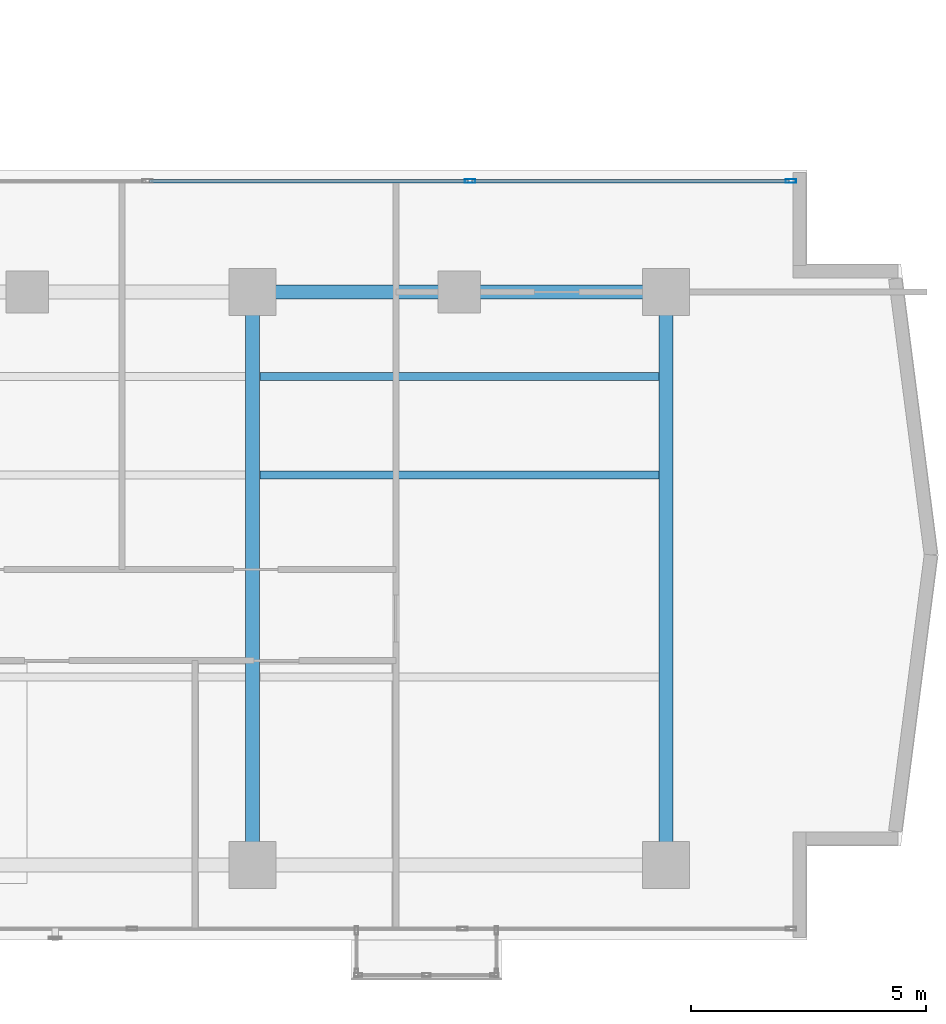
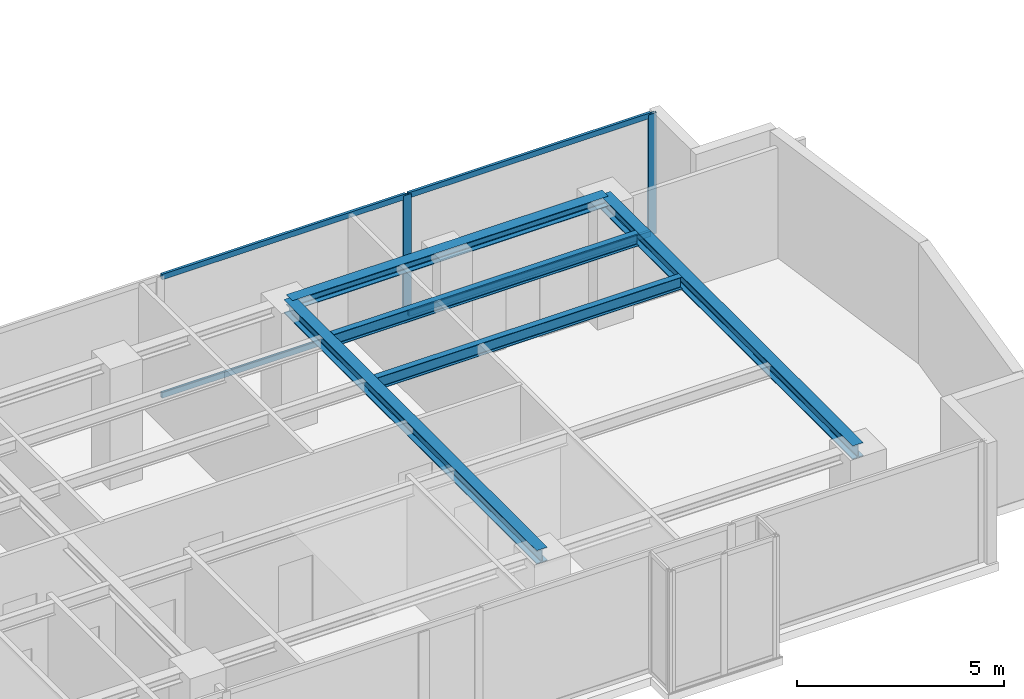
# One storey, part 11 of 23: 6 members, 5 beams, 1 element without a shape of its own.
"""IFC4 building model written with IfcOpenShell, lengths in metres."""

from ifc_helpers import new_model, si_unit, direction, frame, origin, origin_with_axes, origin_2d, place, context, subcontext, project, spatial, hollow_rectangle, i_section, extrude, source, transform, mapped, material, layer, layer_set, material_profile, profile_set, type_object, element, aggregate, save


model = new_model("IFC4")

# Units and contexts
model_context = context("Model", 3, precision=1e-05, world=origin(), true_north=direction((0.0, 1.0)))
body_context = subcontext(model_context, "Body", "Model", "MODEL_VIEW")
ifc_project = project(units=[si_unit("LENGTHUNIT", "METRE"), si_unit("AREAUNIT", "SQUARE_METRE"), si_unit("VOLUMEUNIT", "CUBIC_METRE"), si_unit("PLANEANGLEUNIT", "RADIAN"), si_unit("MASSUNIT", "GRAM", prefix="KILO")], contexts=[model_context])

# Site, building, storey
site_placement = place(None, origin())
site = spatial("IfcSite", under=ifc_project, at=site_placement, CompositionType="ELEMENT")
building_placement = place(site_placement, origin())
building = spatial("IfcBuilding", under=site, at=building_placement, Name="Kolvaren Waterfront Exchange", CompositionType="ELEMENT")
storey_placement = place(building_placement, frame((0.0, 0.0, 227.300048828125)))
storey = spatial("IfcBuildingStorey", under=building, at=storey_placement, Name="L58", CompositionType="ELEMENT", Elevation=227.300048828125)

# Beams
ifc_material_1 = material(Name="Steel S355", Category="steel")
ifc_material_profile_1 = material_profile(ifc_material_1, i_section(OverallWidth=0.300048828125, OverallDepth=0.300048828125, WebThickness=0.010986328125, FlangeThickness=0.01904296875, FilletRadius=0.027099609375, at=origin_2d()), Name="HEB300")
ifc_profile_set_1 = profile_set([ifc_material_profile_1], Name="Steel S355")
beam_type_1 = type_object("IfcBeamType", Name="STR-BM-HEB300", PredefinedType="SPANDREL", material=ifc_profile_set_1)
beam_placement = place(storey_placement, frame((36.800048828125, 17.39990234375, 3.409912109375), z_axis=(1.0, 0.0, 0.0), x_axis=(0.0, 1.0, 0.0)))
element("IfcBeam", 1, at=beam_placement, inside=storey, type_object=beam_type_1, Name="L58 east-arm spandrel N3", PredefinedType="SPANDREL", context=body_context, shape_type="SweptSolid", body=[
    extrude(i_section(OverallWidth=0.300048828125, OverallDepth=0.300048828125, WebThickness=0.010986328125, FlangeThickness=0.01904296875, FilletRadius=0.027099609375, at=origin_2d()), origin(), (0.0, 0.0, 1.0), 8.800048828125),
])
ifc_material_profile_2 = material_profile(ifc_material_1, i_section(OverallWidth=0.300048828125, OverallDepth=0.39990234375, WebThickness=0.013427734375, FlangeThickness=0.02392578125, FilletRadius=0.027099609375, at=origin_2d()), Name="HEB400")
ifc_profile_set_2 = profile_set([ifc_material_profile_2], Name="Steel S355")
beam_type_2 = type_object("IfcBeamType", Name="STR-BM-HEB400", PredefinedType="BEAM", material=ifc_profile_set_2)
for number, where, z_axis, x_axis, name in (
    (2, (36.800048828125, 5.199951171875, 3.35986328125), (0.0, 1.0, 0.0), (-1.0, 0.0, 0.0), "L58 east-arm transverse girder X36"),
    (3, (45.60009765625, 5.199951171875, 3.35986328125), (0.0, 1.0, 0.0), (-1.0, 0.0, 0.0), "L58 east-arm transverse girder X45"),
):
    element("IfcBeam", number, at=place(storey_placement, frame(where, z_axis=z_axis, x_axis=x_axis)), inside=storey, type_object=beam_type_2, Name=name, PredefinedType="BEAM", context=body_context, shape_type="SweptSolid", body=[
        extrude(i_section(OverallWidth=0.300048828125, OverallDepth=0.39990234375, WebThickness=0.013427734375, FlangeThickness=0.02392578125, FilletRadius=0.027099609375, at=origin_2d()), origin(), (0.0, 0.0, 1.0), 12.199951171875),
    ])
ifc_material_profile_3 = material_profile(ifc_material_1, i_section(OverallWidth=0.169921875, OverallDepth=0.360107421875, WebThickness=0.008056640625, FlangeThickness=0.0126953125, FilletRadius=0.01806640625, at=origin_2d()), Name="IPE360")
ifc_profile_set_3 = profile_set([ifc_material_profile_3], Name="Steel S355")
beam_type_3 = type_object("IfcBeamType", Name="STR-BM-IPE360", PredefinedType="JOIST", material=ifc_profile_set_3)
for number, where, z_axis, x_axis, name in (
    (4, (36.951904296875, 13.5, 3.3798828125), (1.0, 0.0, 0.0), (0.0, 1.0, 0.0), "L58 east-arm composite joist 3A"),
    (5, (36.951904296875, 15.60009765625, 3.3798828125), (1.0, 0.0, 0.0), (0.0, 1.0, 0.0), "L58 east-arm composite joist 3C"),
):
    element("IfcBeam", number, at=place(storey_placement, frame(where, z_axis=z_axis, x_axis=x_axis)), inside=storey, type_object=beam_type_3, Name=name, PredefinedType="JOIST", context=body_context, shape_type="SweptSolid", body=[
        extrude(i_section(OverallWidth=0.169921875, OverallDepth=0.360107421875, WebThickness=0.008056640625, FlangeThickness=0.0126953125, FilletRadius=0.01806640625, at=origin_2d()), origin(), (0.0, 0.0, 1.0), 8.49609375),
    ])

# Curtain wall, members
ifc_material_2 = material(Name="Anodised bronze aluminium 6063-T6", Category="aluminium")
ifc_layer = layer(ifc_material_2, 0.219970703125, Name="Anodised bronze aluminium 6063-T6")
ifc_layer_set = layer_set([ifc_layer], Name="Anodised bronze aluminium 6063-T6")
curtain_wall_type = type_object("IfcCurtainWallType", Name="ARC-CW-SYS1", PredefinedType="USERDEFINED", material=ifc_layer_set)
curtain_wall_placement = place(storey_placement, origin())
curtain_wall = element("IfcCurtainWall", 6, at=curtain_wall_placement, inside=storey, type_object=curtain_wall_type, Name="L58 stick curtain wall CW1 (CW-L58-EN)", ObjectType="STICK CURTAIN WALL", PredefinedType="USERDEFINED")
ifc_material_3 = material(Name="Anodised aluminium 6063-T6", Category="aluminium")
ifc_material_profile_4 = material_profile(ifc_material_3, hollow_rectangle(XDim=0.080078125, YDim=0.219970703125, WallThickness=0.0048828125, at=origin_2d()), Name="ALU-MUL-220x80x5")
ifc_profile_set_4 = profile_set([ifc_material_profile_4], Name="Anodised aluminium 6063-T6")
member_type_1 = type_object("IfcMemberType", Name="ARC-CWM-220", PredefinedType="MULLION", material=ifc_profile_set_4)
shared_shape_1 = source(origin_with_axes(), body_context, "Body", "SweptSolid", [
    extrude(hollow_rectangle(XDim=0.080078125, YDim=0.219970703125, WallThickness=0.0048828125, at=origin_2d()), origin(), (0.0, 0.0, 1.0), 3.56005859375),
])
member_1_placement = place(storey_placement, frame((41.429931640625, 19.760009765625, 0.0), z_axis=(0.0, 0.0, 1.0), x_axis=(0.0, 1.0, 0.0)))
member_1 = element("IfcMember", 7, at=member_1_placement, type_object=member_type_1, Name="CW1 mullion 3", PredefinedType="MULLION", context=body_context, shape_type="MappedRepresentation", body=[
    mapped(shared_shape_1, transform((0.0, 0.0, 0.0), x_axis=(1.0, 0.0, 0.0), y_axis=(0.0, 1.0, 0.0), z_axis=(0.0, 0.0, 1.0), scale=1.0)),
])
member_2_placement = place(storey_placement, frame((48.260009765625, 19.760009765625, 0.0), z_axis=(0.0, 0.0, 1.0), x_axis=(0.0, 1.0, 0.0)))
member_2 = element("IfcMember", 8, at=member_2_placement, type_object=member_type_1, Name="CW1 mullion 4", PredefinedType="MULLION", context=body_context, shape_type="MappedRepresentation", body=[
    mapped(shared_shape_1, transform((0.0, 0.0, 0.0), x_axis=(1.0, 0.0, 0.0), y_axis=(0.0, 1.0, 0.0), z_axis=(0.0, 0.0, 1.0), scale=1.0)),
])
ifc_material_profile_5 = material_profile(ifc_material_3, hollow_rectangle(XDim=0.074951171875, YDim=0.159912109375, WallThickness=0.00439453125, at=origin_2d()), Name="ALU-TRN-160x75x4.5")
ifc_profile_set_5 = profile_set([ifc_material_profile_5], Name="Anodised aluminium 6063-T6")
member_type_2 = type_object("IfcMemberType", Name="ARC-CWT-160", PredefinedType="USERDEFINED", material=ifc_profile_set_5)
shared_shape_2 = source(origin_with_axes(), body_context, "Body", "SweptSolid", [
    extrude(hollow_rectangle(XDim=0.074951171875, YDim=0.159912109375, WallThickness=0.00439453125, at=origin_2d()), origin(), (0.0, 0.0, 1.0), 6.75),
])
member_3_placement = place(storey_placement, frame((41.469970703125, 19.760009765625, 0.037353515625), z_axis=(1.0, 0.0, 0.0), x_axis=(0.0, 1.0, 0.0)))
member_3 = element("IfcMember", 9, at=member_3_placement, type_object=member_type_2, Name="CW1 transom 3.1", ObjectType="TRANSOM", PredefinedType="USERDEFINED", context=body_context, shape_type="MappedRepresentation", body=[
    mapped(shared_shape_2, transform((0.0, 0.0, 0.0), x_axis=(1.0, 0.0, 0.0), y_axis=(0.0, 1.0, 0.0), z_axis=(0.0, 0.0, 1.0), scale=1.0)),
])
member_4_placement = place(storey_placement, frame((41.469970703125, 19.760009765625, 3.5224609375), z_axis=(1.0, 0.0, 0.0), x_axis=(0.0, 1.0, 0.0)))
member_4 = element("IfcMember", 10, at=member_4_placement, type_object=member_type_2, Name="CW1 transom 3.2", ObjectType="TRANSOM", PredefinedType="USERDEFINED", context=body_context, shape_type="MappedRepresentation", body=[
    mapped(shared_shape_2, transform((0.0, 0.0, 0.0), x_axis=(1.0, 0.0, 0.0), y_axis=(0.0, 1.0, 0.0), z_axis=(0.0, 0.0, 1.0), scale=1.0)),
])
shared_shape_3 = source(origin_with_axes(), body_context, "Body", "SweptSolid", [
    extrude(hollow_rectangle(XDim=0.074951171875, YDim=0.159912109375, WallThickness=0.00439453125, at=origin_2d()), origin(), (0.0, 0.0, 1.0), 6.789794921875),
])
member_5_placement = place(storey_placement, frame((34.60009765625, 19.760009765625, 0.037353515625), z_axis=(1.0, 0.0, 0.0), x_axis=(0.0, 1.0, 0.0)))
member_5 = element("IfcMember", 11, at=member_5_placement, type_object=member_type_2, Name="CW1 transom 2.1", ObjectType="TRANSOM", PredefinedType="USERDEFINED", context=body_context, shape_type="MappedRepresentation", body=[
    mapped(shared_shape_3, transform((0.0, 0.0, 0.0), x_axis=(1.0, 0.0, 0.0), y_axis=(0.0, 1.0, 0.0), z_axis=(0.0, 0.0, 1.0), scale=1.0)),
])
member_6_placement = place(storey_placement, frame((34.60009765625, 19.760009765625, 3.5224609375), z_axis=(1.0, 0.0, 0.0), x_axis=(0.0, 1.0, 0.0)))
member_6 = element("IfcMember", 12, at=member_6_placement, type_object=member_type_2, Name="CW1 transom 2.2", ObjectType="TRANSOM", PredefinedType="USERDEFINED", context=body_context, shape_type="MappedRepresentation", body=[
    mapped(shared_shape_3, transform((0.0, 0.0, 0.0), x_axis=(1.0, 0.0, 0.0), y_axis=(0.0, 1.0, 0.0), z_axis=(0.0, 0.0, 1.0), scale=1.0)),
])
aggregate(curtain_wall, [member_1, member_2, member_5, member_6, member_3, member_4])

save(model, "model.ifc")
